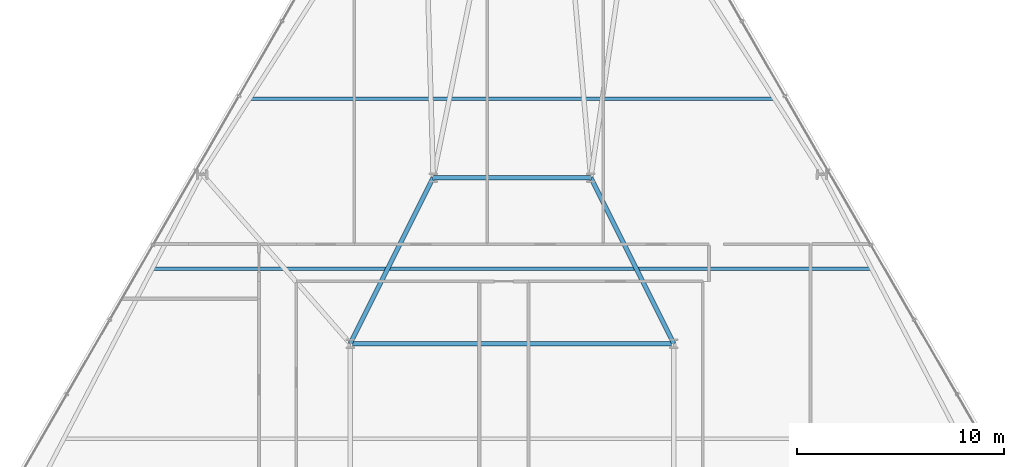
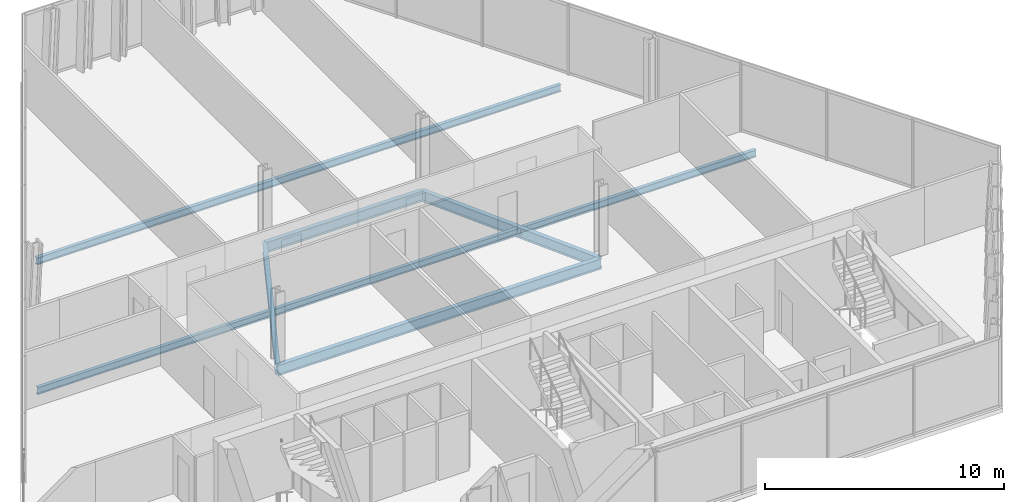
# One storey, part 16 of 32: 6 beams.
"""IFC4 building model written with IfcOpenShell, lengths in metres."""

from ifc_helpers import new_model, si_unit, direction, frame, origin, origin_2d, place, context, subcontext, project, spatial, i_section, extrude, material, material_profile, profile_set, type_object, element, save


model = new_model("IFC4")

# Units and contexts
model_context = context("Model", 3, precision=1e-05, world=origin(), true_north=direction((0.0, 1.0)))
body_context = subcontext(model_context, "Body", "Model", "MODEL_VIEW")
ifc_project = project(units=[si_unit("LENGTHUNIT", "METRE"), si_unit("AREAUNIT", "SQUARE_METRE"), si_unit("VOLUMEUNIT", "CUBIC_METRE"), si_unit("PLANEANGLEUNIT", "RADIAN"), si_unit("MASSUNIT", "GRAM", prefix="KILO")], contexts=[model_context])

# Site, building, storey
site_placement = place(None, origin())
site = spatial("IfcSite", under=ifc_project, at=site_placement, CompositionType="ELEMENT")
building_placement = place(site_placement, origin())
building = spatial("IfcBuilding", under=site, at=building_placement, Name="Ndaravel Arena Tower", CompositionType="ELEMENT")
storey_placement = place(building_placement, frame((0.0, 0.0, 96.800048828125)))
storey = spatial("IfcBuildingStorey", under=building, at=storey_placement, Name="L22", CompositionType="ELEMENT", Elevation=96.800048828125)

# Beams
ifc_material_1 = material(Name="Steel S355", Category="steel")
ifc_material_profile_1 = material_profile(ifc_material_1, i_section(OverallWidth=0.210693359375, OverallDepth=0.53955078125, WebThickness=0.01171875, FlangeThickness=0.018798828125, FilletRadius=0.0126953125, at=origin_2d()), Name="UB 533x210x109")
ifc_profile_set_1 = profile_set([ifc_material_profile_1], Name="Steel S355")
beam_type_1 = type_object("IfcBeamType", Name="BM-GIRD-UB533", PredefinedType="BEAM", material=ifc_profile_set_1)
beam_1_placement = place(storey_placement, frame((34.199951171875, 23.199951171875, -0.48974609375), z_axis=(1.0, 0.0, 0.0), x_axis=(0.0, 1.0, 0.0)))
element("IfcBeam", 1, at=beam_1_placement, inside=storey, type_object=beam_type_1, Name="L22 Spine Link Girder SLG-03", PredefinedType="BEAM", context=body_context, shape_type="SweptSolid", body=[
    extrude(i_section(OverallWidth=0.210693359375, OverallDepth=0.53955078125, WebThickness=0.01171875, FlangeThickness=0.018798828125, FilletRadius=0.0126953125, at=origin_2d()), origin(), (0.0, 0.0, 1.0), 15.60009765625),
])
for number, where, z_axis, x_axis, name in (
    (2, (34.199951171875, 23.199951171875, -0.48974609375), (0.4472135955, 0.894427191, 0.0), (-0.894427191, 0.4472135955, 0.0), "L22 Spine Link Girder SLG-04"),
    (3, (49.800048828125, 23.199951171875, -0.48974609375), (-0.4472135955, 0.894427191, 0.0), (-0.894427191, -0.4472135955, 0.0), "L22 Spine Link Girder SLG-05"),
):
    element("IfcBeam", number, at=place(storey_placement, frame(where, z_axis=z_axis, x_axis=x_axis)), inside=storey, type_object=beam_type_1, Name=name, PredefinedType="BEAM", context=body_context, shape_type="SweptSolid", body=[
        extrude(i_section(OverallWidth=0.210693359375, OverallDepth=0.53955078125, WebThickness=0.01171875, FlangeThickness=0.018798828125, FilletRadius=0.0126953125, at=origin_2d()), origin(), (0.0, 0.0, 1.0), 8.9443359375),
    ])
beam_2_placement = place(storey_placement, frame((38.199951171875, 31.199951171875, -0.48974609375), z_axis=(1.0, 0.0, 0.0), x_axis=(0.0, 1.0, 0.0)))
element("IfcBeam", 4, at=beam_2_placement, inside=storey, type_object=beam_type_1, Name="L22 Spine Link Girder SLG-06", PredefinedType="BEAM", context=body_context, shape_type="SweptSolid", body=[
    extrude(i_section(OverallWidth=0.210693359375, OverallDepth=0.53955078125, WebThickness=0.01171875, FlangeThickness=0.018798828125, FilletRadius=0.0126953125, at=origin_2d()), origin(), (0.0, 0.0, 1.0), 7.60009765625),
])
ifc_material_2 = material(Name="Steel S355", Category="steel")
ifc_material_profile_2 = material_profile(ifc_material_2, i_section(OverallWidth=0.169921875, OverallDepth=0.360107421875, WebThickness=0.008056640625, FlangeThickness=0.0126953125, FilletRadius=0.01806640625, at=origin_2d()), Name="IPE 360")
ifc_profile_set_2 = profile_set([ifc_material_profile_2], Name="Steel S355")
beam_type_2 = type_object("IfcBeamType", Name="BM-JOIST-IPE360", PredefinedType="JOIST", material=ifc_profile_set_2)
beam_3_placement = place(storey_placement, frame((24.65234375, 26.800048828125, -0.400146484375), z_axis=(1.0, 0.0, 0.0), x_axis=(0.0, 1.0, 0.0)))
element("IfcBeam", 5, at=beam_3_placement, inside=storey, type_object=beam_type_2, Name="L22 Composite Floor Joist FJ-02", PredefinedType="JOIST", context=body_context, shape_type="SweptSolid", body=[
    extrude(i_section(OverallWidth=0.169921875, OverallDepth=0.360107421875, WebThickness=0.008056640625, FlangeThickness=0.0126953125, FilletRadius=0.01806640625, at=origin_2d()), origin(), (0.0, 0.0, 1.0), 34.6953125),
])
beam_4_placement = place(storey_placement, frame((29.34228515625, 35.0, -0.400146484375), z_axis=(1.0, 0.0, 0.0), x_axis=(0.0, 1.0, 0.0)))
element("IfcBeam", 6, at=beam_4_placement, inside=storey, type_object=beam_type_2, Name="L22 Composite Floor Joist FJ-03", PredefinedType="JOIST", context=body_context, shape_type="SweptSolid", body=[
    extrude(i_section(OverallWidth=0.169921875, OverallDepth=0.360107421875, WebThickness=0.008056640625, FlangeThickness=0.0126953125, FilletRadius=0.01806640625, at=origin_2d()), origin(), (0.0, 0.0, 1.0), 25.315673828125),
])

save(model, "model.ifc")
